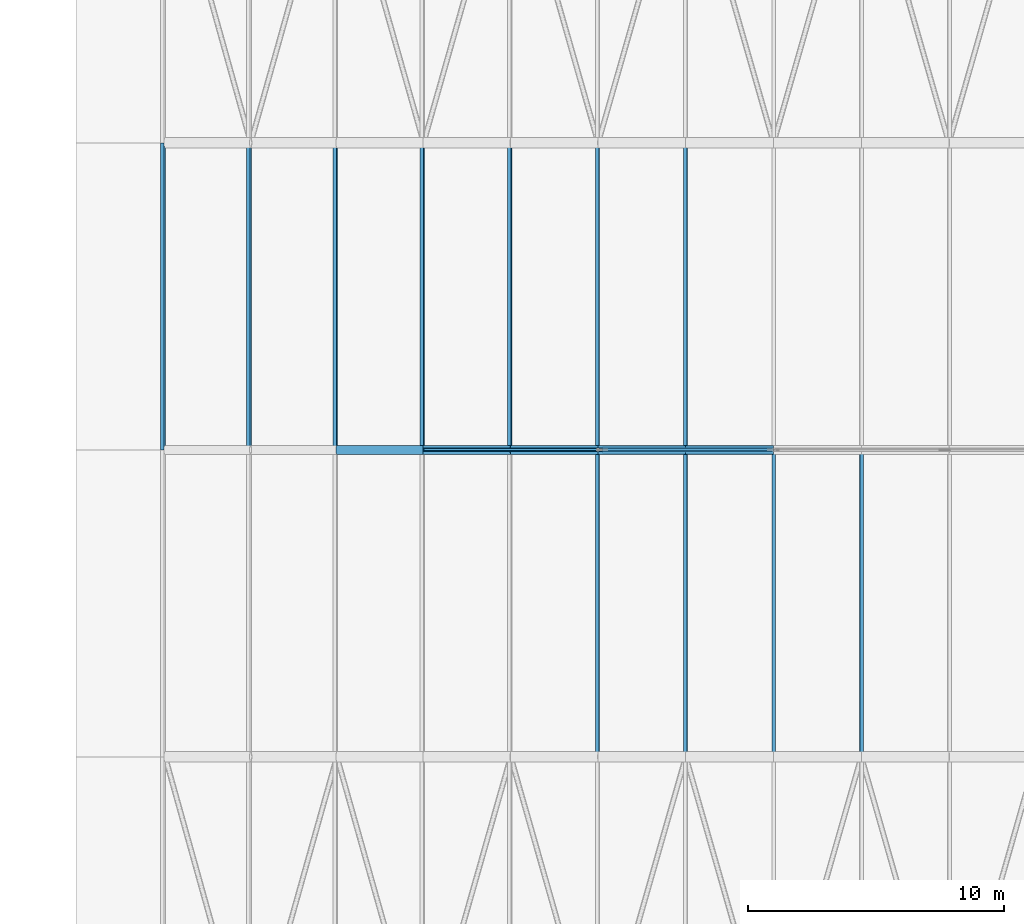
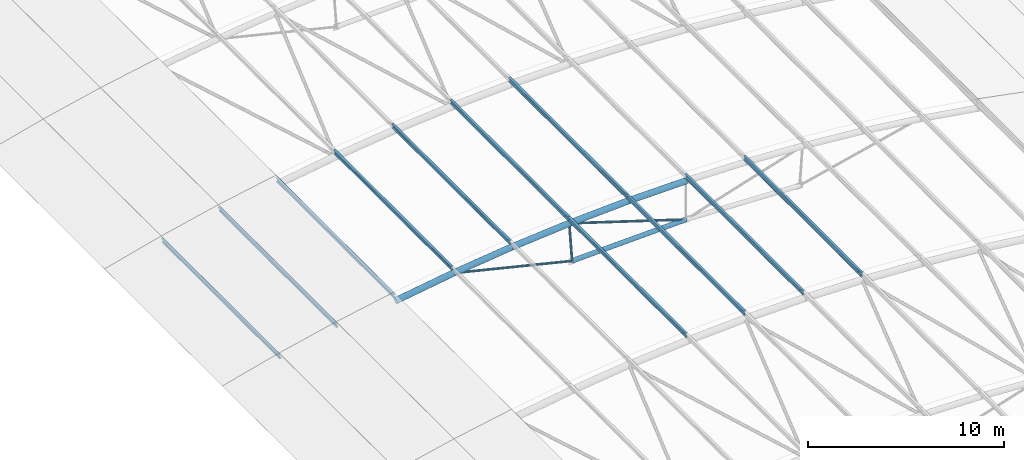
# One storey, part 10 of 91: 20 members.
"""IFC4 building model written with IfcOpenShell, lengths in metres."""

import ifcopenshell
import ifcopenshell.guid

model = None  # the IFC model being written
_history = None  # IfcOwnerHistory: only IFC2X3 demands one
_inside = {}  # id of a spatial element -> (the spatial element, [elements in it])
_under = {}  # id of a project, library or spatial element -> (it, [spatial elements below it])
_declared = {}  # id of a project -> (the project, [libraries it declares])
_typed = {}  # id of a type object -> (the type object, [elements of that type])
_made_of = {}  # id of a material, layer set ... -> (it, [elements and type objects made of it])


def new_model(schema):
    """Start an empty IFC model of exactly this schema.

    Asked for "IFC4X3", IfcOpenShell would pick the latest addendum, in which some entities
    have other attributes; the version numbers below select the first issue.
    IFC2X3 requires an IfcOwnerHistory on every rooted entity: one is made here for all.
    """
    global model, _history
    if schema == "IFC4X3":
        model = ifcopenshell.file(schema_version=(4, 3, 0, 0))
    else:
        model = ifcopenshell.file(schema=schema)
    _inside.clear()
    _under.clear()
    _declared.clear()
    _typed.clear()
    _made_of.clear()
    _history = None
    if model.schema == "IFC2X3":
        org = make("IfcOrganization", Name="unknown")
        user = make(
            "IfcPersonAndOrganization",
            ThePerson=make("IfcPerson", FamilyName="unknown"),
            TheOrganization=org,
        )
        app = make(
            "IfcApplication",
            ApplicationDeveloper=org,
            Version="unknown",
            ApplicationFullName="unknown",
            ApplicationIdentifier="unknown",
        )
        _history = make(
            "IfcOwnerHistory",
            OwningUser=user,
            OwningApplication=app,
            ChangeAction="ADDED",
            CreationDate=0,
        )
    return model


def make(cls, **values):
    """One entity of the class cls with the attributes given. An attribute that is None is left unset."""
    return model.create_entity(
        cls, **{name: value for name, value in values.items() if value is not None}
    )


def rooted(cls, **values):
    """An entity with a GlobalId (a new one), such as an element, a storey or a relation."""
    return make(cls, GlobalId=ifcopenshell.guid.new(), OwnerHistory=_history, **values)


def si_unit(unit_type, name, prefix=None):
    """IfcSIUnit, for example si_unit("LENGTHUNIT", "METRE", prefix="MILLI")."""
    return make("IfcSIUnit", UnitType=unit_type, Prefix=prefix, Name=name)


def assignment(units):
    """IfcUnitAssignment: the units of a project."""
    return None if units is None else make("IfcUnitAssignment", Units=units)


def point(xyz):
    """IfcCartesianPoint."""
    return None if xyz is None else make("IfcCartesianPoint", Coordinates=xyz)


def direction(xyz):
    """IfcDirection."""
    return None if xyz is None else make("IfcDirection", DirectionRatios=xyz)


def frame(location, z_axis=None, x_axis=None):
    """IfcAxis2Placement3D, a coordinate frame: its origin and axes. An axis left out is left unset."""
    return make(
        "IfcAxis2Placement3D",
        Location=point(location),
        Axis=direction(z_axis),
        RefDirection=direction(x_axis),
    )


def frame_2d(location, x_axis=None):
    """IfcAxis2Placement2D, a coordinate frame in the plane: its origin and x axis."""
    return make(
        "IfcAxis2Placement2D", Location=point(location), RefDirection=direction(x_axis)
    )


def origin():
    """The frame at (0, 0, 0) with its axes left unset."""
    return frame((0.0, 0.0, 0.0))


def origin_2d():
    """The frame at (0, 0) in the plane with its x axis left unset."""
    return frame_2d((0.0, 0.0))


def place(relative_to, where):
    """IfcLocalPlacement: puts the frame where relative to a parent placement (None: the world)."""
    return make(
        "IfcLocalPlacement", PlacementRelTo=relative_to, RelativePlacement=where
    )


def context(
    kind, dimensions, precision=None, world=None, true_north=None, identifier=None
):
    """IfcGeometricRepresentationContext, for example the 3D "Model" context."""
    return make(
        "IfcGeometricRepresentationContext",
        ContextIdentifier=identifier,
        ContextType=kind,
        CoordinateSpaceDimension=dimensions,
        Precision=precision,
        WorldCoordinateSystem=world,
        TrueNorth=true_north,
    )


def subcontext(parent, identifier, kind, view, scale=None):
    """IfcGeometricRepresentationSubContext, for example "Body" below "Model"."""
    return make(
        "IfcGeometricRepresentationSubContext",
        ContextIdentifier=identifier,
        ContextType=kind,
        ParentContext=parent,
        TargetScale=scale,
        TargetView=view,
    )


def project(units=None, contexts=None):
    """IfcProject with its units and contexts."""
    return rooted(
        "IfcProject",
        Name="project",
        RepresentationContexts=contexts,
        UnitsInContext=assignment(units),
    )


def spatial(cls, under=None, at=None, **own):
    """A site, building, storey or space (cls), placed at a placement, below another one or the project."""
    s = rooted(cls, ObjectPlacement=at, **own)
    if under is not None:
        _under.setdefault(under.id(), (under, []))[1].append(s)
    return s


def profile(cls, at=None, kind="AREA", **sizes):
    """A parametric profile (cls). Its sizes go by their IFC names, for example OverallWidth=200.0."""
    return make(cls, ProfileType=kind, Position=at, **sizes)


def hollow_circle(**sizes):
    """IfcCircleHollowProfileDef."""
    return profile("IfcCircleHollowProfileDef", **sizes)


def i_section(**sizes):
    """IfcIShapeProfileDef."""
    return profile("IfcIShapeProfileDef", **sizes)


def extrude(swept, where, along, depth):
    """IfcExtrudedAreaSolid: the profile swept, set in the frame where, extruded along a direction by depth."""
    return make(
        "IfcExtrudedAreaSolid",
        SweptArea=swept,
        Position=where,
        ExtrudedDirection=direction(along),
        Depth=depth,
    )


def shape(context_of_items, identifier, shape_type, items):
    """IfcShapeRepresentation: the items that make up one representation, for example the "Body"."""
    return make(
        "IfcShapeRepresentation",
        ContextOfItems=context_of_items,
        RepresentationIdentifier=identifier,
        RepresentationType=shape_type,
        Items=items,
    )


def material(Name=None, Category=None):
    """IfcMaterial."""
    return make("IfcMaterial", Name=Name, Category=Category)


def material_profile(
    of_material, cross_section, Name=None, Category=None, Priority=None
):
    """IfcMaterialProfile: a cross section and its material."""
    return make(
        "IfcMaterialProfile",
        Name=Name,
        Material=of_material,
        Profile=cross_section,
        Priority=Priority,
        Category=Category,
    )


def profile_set(profiles, Name=None, composite=None):
    """IfcMaterialProfileSet."""
    return make(
        "IfcMaterialProfileSet",
        Name=Name,
        MaterialProfiles=profiles,
        CompositeProfile=composite,
    )


def made_of(thing, what):
    """Note that an element or type object is made of a material, layer set ...; save() writes the relation."""
    if what is not None:
        _made_of.setdefault(what.id(), (what, []))[1].append(thing)
    return thing


def type_object(cls, material=None, **own):
    """A type object (cls), such as IfcWallType, which elements share."""
    return made_of(rooted(cls, **own), material)


def element(
    cls,
    number,
    at=None,
    inside=None,
    cuts=None,
    type_object=None,
    material=None,
    context=None,
    identifier="Body",
    shape_type=None,
    held_by="IfcProductDefinitionShape",
    body=None,
    shapes=None,
    **own,
):
    """One element of the class cls, such as IfcWall. Its Tag is "e" and its number.

    at: its placement. inside: the storey or other place that contains it. cuts: it is an
    opening in that element (IfcRelVoidsElement). A single representation is given by context,
    identifier, shape_type and body (its items); several are given by shapes. held_by: the class
    of the entity that holds the representations. save() writes the other relations.
    """
    e = rooted(cls, Tag="e%d" % number, ObjectPlacement=at, **own)
    if body is not None:
        shapes = [shape(context, identifier, shape_type, body)]
    if shapes is not None:
        e.Representation = make(held_by, Representations=shapes)
    if inside is not None:
        _inside.setdefault(inside.id(), (inside, []))[1].append(e)
    if cuts is not None:
        rooted(
            "IfcRelVoidsElement", RelatingBuildingElement=cuts, RelatedOpeningElement=e
        )
    if type_object is not None:
        _typed.setdefault(type_object.id(), (type_object, []))[1].append(e)
    return made_of(e, material)


def aggregate(whole, parts):
    """IfcRelAggregates: a whole, such as a stair, and the parts it consists of."""
    return rooted("IfcRelAggregates", RelatingObject=whole, RelatedObjects=parts)


def save(model, path):
    """Write the relations noted so far, then the file.

    IfcRelAggregates (storeys below a building ...), IfcRelContainedInSpatialStructure (elements
    in a storey), IfcRelDefinesByType, IfcRelAssociatesMaterial and IfcRelDeclares: one each for
    every whole, place, type object, material and project.
    """
    for whole, parts in _under.values():
        aggregate(whole, parts)
    for where, things in _inside.values():
        rooted(
            "IfcRelContainedInSpatialStructure",
            RelatedElements=things,
            RelatingStructure=where,
        )
    for kind, things in _typed.values():
        rooted("IfcRelDefinesByType", RelatedObjects=things, RelatingType=kind)
    for what, things in _made_of.values():
        rooted("IfcRelAssociatesMaterial", RelatedObjects=things, RelatingMaterial=what)
    for by, libraries in _declared.values():
        rooted("IfcRelDeclares", RelatingContext=by, RelatedDefinitions=libraries)
    model.write(path)


model = new_model("IFC4")

# Units and contexts
model_context = context("Model", 3, precision=1e-05, world=origin(), true_north=direction((0.0, 1.0)))
body_context = subcontext(model_context, "Body", "Model", "MODEL_VIEW")
ifc_project = project(units=[si_unit("LENGTHUNIT", "METRE"), si_unit("AREAUNIT", "SQUARE_METRE"), si_unit("VOLUMEUNIT", "CUBIC_METRE"), si_unit("PLANEANGLEUNIT", "RADIAN"), si_unit("MASSUNIT", "GRAM", prefix="KILO")], contexts=[model_context])

# Site, building, storey
site_placement = place(None, origin())
site = spatial("IfcSite", under=ifc_project, at=site_placement, CompositionType="ELEMENT")
building_placement = place(site_placement, origin())
building = spatial("IfcBuilding", under=site, at=building_placement, Name="Ravi Spectrum Wholesale Market", CompositionType="ELEMENT")
storey_placement = place(building_placement, frame((0.0, 0.0, 16.199951171875)))
storey = spatial("IfcBuildingStorey", under=building, at=storey_placement, Name="ROOF PLANT LEVEL", CompositionType="ELEMENT", Elevation=16.199951171875)

# Members
ifc_material_1 = material(Name="Steel S355", Category="steel")
ifc_material_profile_1 = material_profile(ifc_material_1, hollow_circle(Radius=0.06982421875, WallThickness=0.0048828125, at=origin_2d()))
ifc_profile_set_1 = profile_set([ifc_material_profile_1], Name="Steel S355")
member_type_1 = type_object("IfcMemberType", Name="CHS 139.7x5 brace", PredefinedType="BRACE", material=ifc_profile_set_1)
member_1_placement = place(storey_placement, frame((56.318115234375, 90.0, 2.079833984375), z_axis=(0.97214359809, 0.0, -0.234386059083), x_axis=(0.0, 1.0, 0.0)))
element("IfcMember", 1, at=member_1_placement, inside=storey, type_object=member_type_1, Name="H1-MB-L02-474", PredefinedType="BRACE", context=body_context, shape_type="SweptSolid", body=[
    extrude(hollow_circle(Radius=0.06982421875, WallThickness=0.0048828125, at=origin_2d()), origin(), (0.0, 0.0, 1.0), 7.190185546875),
])
member_2_placement = place(storey_placement, frame((63.142822265625, 90.0, 2.788818359375), z_axis=(0.953666273238, 0.0, -0.300866480833), x_axis=(0.0, 1.0, 0.0)))
element("IfcMember", 2, at=member_2_placement, inside=storey, type_object=member_type_1, Name="H1-MB-L02-475", PredefinedType="BRACE", context=body_context, shape_type="SweptSolid", body=[
    extrude(hollow_circle(Radius=0.06982421875, WallThickness=0.0048828125, at=origin_2d()), origin(), (0.0, 0.0, 1.0), 7.1904296875),
])
ifc_material_2 = material(Name="Steel S355", Category="steel")
ifc_material_profile_2 = material_profile(ifc_material_2, hollow_circle(Radius=0.06982421875, WallThickness=0.0048828125, at=origin_2d()))
ifc_profile_set_2 = profile_set([ifc_material_profile_2], Name="Steel S355")
member_type_2 = type_object("IfcMemberType", Name="CHS 139.7x5 post", PredefinedType="POST", material=ifc_profile_set_2)
member_3_placement = place(storey_placement, frame((63.142822265625, 90.0, 2.788818359375), z_axis=(0.068868423963, 0.0, -0.997625751563), x_axis=(0.0, 1.0, 0.0)))
element("IfcMember", 3, at=member_3_placement, inside=storey, type_object=member_type_2, Name="H1-MB-L02-464", PredefinedType="POST", context=body_context, shape_type="SweptSolid", body=[
    extrude(hollow_circle(Radius=0.06982421875, WallThickness=0.0048828125, at=origin_2d()), origin(), (0.0, 0.0, 1.0), 2.39990234375),
])
ifc_material_3 = material(Name="Steel S355", Category="steel")
ifc_material_profile_3 = material_profile(ifc_material_3, hollow_circle(Radius=0.136474609375, WallThickness=0.010009765625, at=origin_2d()))
ifc_profile_set_3 = profile_set([ifc_material_profile_3], Name="Steel S355")
member_type_3 = type_object("IfcMemberType", Name="CHS 273x10 chord", PredefinedType="CHORD", material=ifc_profile_set_3)
member_4_placement = place(storey_placement, frame((63.30810546875, 90.0, 0.39453125), z_axis=(0.999404959621, 0.0, 0.034492414878), x_axis=(0.0, 1.0, 0.0)))
element("IfcMember", 4, at=member_4_placement, inside=storey, type_object=member_type_3, Name="H1-MB-L02-453", PredefinedType="CHORD", context=body_context, shape_type="SweptSolid", body=[
    extrude(hollow_circle(Radius=0.136474609375, WallThickness=0.010009765625, at=origin_2d()), origin(), (0.0, 0.0, 1.0), 6.69580078125),
])
ifc_material_4 = material(Name="Steel S355", Category="steel")
ifc_material_profile_4 = material_profile(ifc_material_4, hollow_circle(Radius=0.177734375, WallThickness=0.012451171875, at=origin_2d()))
ifc_profile_set_4 = profile_set([ifc_material_profile_4], Name="Steel S355")
member_type_4 = type_object("IfcMemberType", Name="CHS 355.6x12.5 chord", PredefinedType="CHORD", material=ifc_profile_set_4)
for number, where, z_axis, x_axis, name in (
    (5, (52.92822265625, 90.0, 1.54931640625), (0.987974358509, 0.0, 0.154617809221), (0.0, 1.0, 0.0), "H1-MB-L02-431"),
    (6, (56.318115234375, 90.0, 2.079833984375), (0.992718062095, 0.0, 0.120460986176), (0.0, 1.0, 0.0), "H1-MB-L02-432"),
    (7, (59.724365234375, 90.0, 2.4931640625), (0.996280795756, 0.0, 0.086165979407), (0.0, 1.0, 0.0), "H1-MB-L02-433"),
    (8, (63.142822265625, 90.0, 2.788818359375), (0.998661121681, 0.0, 0.051729721087), (0.0, 1.0, 0.0), "H1-MB-L02-434"),
    (9, (66.5693359375, 90.0, 2.96630859375), (0.99985173868, 0.0, 0.017219194475), (0.0, 1.0, 0.0), "H1-MB-L02-435"),
):
    element("IfcMember", number, at=place(storey_placement, frame(where, z_axis=z_axis, x_axis=x_axis)), inside=storey, type_object=member_type_4, Name=name, PredefinedType="CHORD", context=body_context, shape_type="SweptSolid", body=[
        extrude(hollow_circle(Radius=0.177734375, WallThickness=0.012451171875, at=origin_2d()), origin(), (0.0, 0.0, 1.0), 3.43115234375),
    ])
ifc_material_5 = material(Name="Steel S355", Category="steel")
ifc_material_profile_5 = material_profile(ifc_material_5, i_section(OverallWidth=0.135009765625, OverallDepth=0.27001953125, WebThickness=0.006591796875, FlangeThickness=0.01025390625, at=origin_2d()))
ifc_profile_set_5 = profile_set([ifc_material_profile_5], Name="Steel S355")
member_type_5 = type_object("IfcMemberType", Name="IPE 270 purlin", PredefinedType="PURLIN", material=ifc_profile_set_5)
for number, where, z_axis, x_axis, name in (
    (10, (63.12109375, 78.0, 3.100830078125), (0.0, 1.0, 0.0), (-0.997620623348, 0.0, -0.068942670899), "H1-MB-L02-1344"),
    (11, (66.55859375, 78.0, 3.27880859375), (0.0, 1.0, 0.0), (-0.999404978812, 0.0, -0.034491858836), "H1-MB-L02-1345"),
    (12, (70.0, 78.0, 3.338134765625), (0.0, 1.0, 0.0), (-1.0, 0.0, 0.0), "H1-MB-L02-1346"),
    (13, (73.44140625, 78.0, 3.27880859375), (0.0, 1.0, 0.0), (-0.999404978812, 0.0, 0.034491858836), "H1-MB-L02-1347"),
    (14, (46.138427734375, 90.0, 0.44287109375), (0.0, 1.0, 0.0), (-0.970982506107, 0.0, -0.239150523382), "H1-MB-L02-1364"),
    (15, (49.494140625, 90.0, 1.208251953125), (0.0, 1.0, 0.0), (-0.978653497036, 0.0, -0.205517232221), "H1-MB-L02-1365"),
    (16, (52.87451171875, 90.0, 1.857666015625), (0.0, 1.0, 0.0), (-0.985159848831, 0.0, -0.171639366844), "H1-MB-L02-1366"),
    (17, (56.275146484375, 90.0, 2.3896484375), (0.0, 1.0, 0.0), (-0.99049381866, 0.0, -0.137557243347), "H1-MB-L02-1367"),
    (18, (59.69189453125, 90.0, 2.804443359375), (0.0, 1.0, 0.0), (-0.994649057067, 0.0, -0.103311438261), "H1-MB-L02-1368"),
    (19, (63.12109375, 90.0, 3.100830078125), (0.0, 1.0, 0.0), (-0.997620623348, 0.0, -0.068942670899), "H1-MB-L02-1369"),
    (20, (66.55859375, 90.0, 3.27880859375), (0.0, 1.0, 0.0), (-0.999404978812, 0.0, -0.034491858836), "H1-MB-L02-1370"),
):
    element("IfcMember", number, at=place(storey_placement, frame(where, z_axis=z_axis, x_axis=x_axis)), inside=storey, type_object=member_type_5, Name=name, PredefinedType="PURLIN", context=body_context, shape_type="SweptSolid", body=[
        extrude(i_section(OverallWidth=0.135009765625, OverallDepth=0.27001953125, WebThickness=0.006591796875, FlangeThickness=0.01025390625, at=origin_2d()), origin(), (0.0, 0.0, 1.0), 12.0),
    ])

save(model, "model.ifc")
